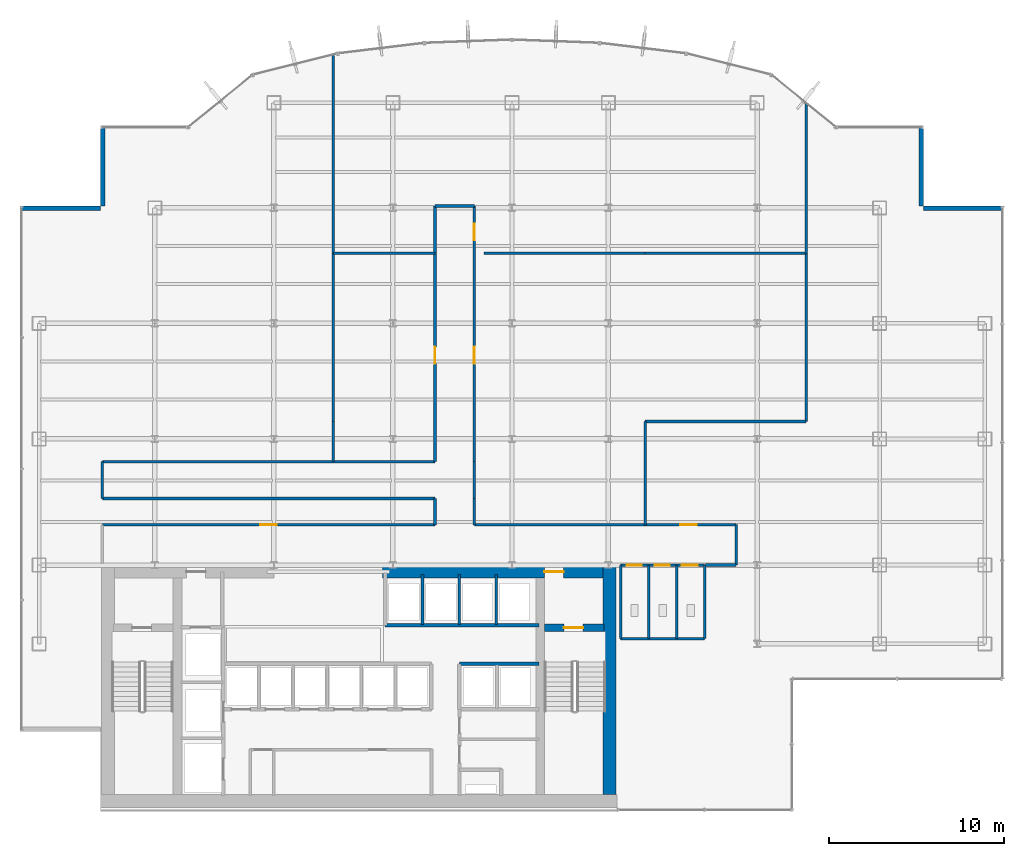
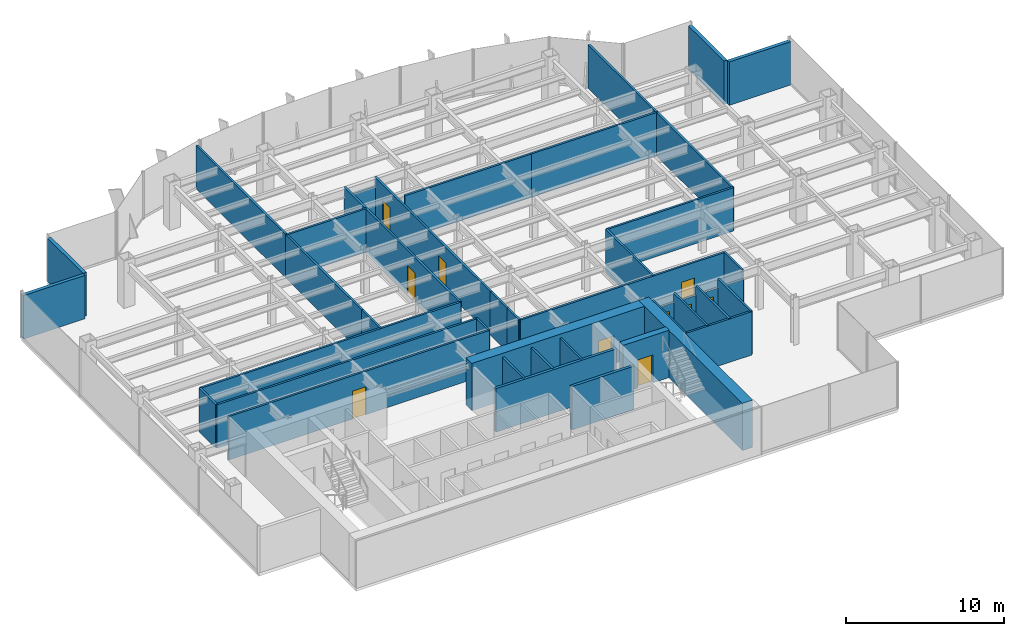
# One storey, part 22 of 26: 41 walls, 10 doors, 10 openings.
"""IFC4 building model written with IfcOpenShell, lengths in metres."""

from ifc_helpers import new_model, si_unit, derived_unit, direction, frame, frame_2d, origin, place, context, subcontext, project, spatial, rectangle, extrude, source, transform, mapped, material, layer, layer_set, type_object, element, fill, save


model = new_model("IFC4")

# Units and contexts
model_context = context("Model", 3, precision=1e-05, world=origin(), true_north=direction((0.0, 1.0)))
body_context = subcontext(model_context, "Body", "Model", "MODEL_VIEW")
ifc_project = project(units=[si_unit("LENGTHUNIT", "METRE"), si_unit("AREAUNIT", "SQUARE_METRE"), si_unit("VOLUMEUNIT", "CUBIC_METRE"), si_unit("PLANEANGLEUNIT", "RADIAN"), si_unit("MASSUNIT", "GRAM", prefix="KILO"), derived_unit("THERMALTRANSMITTANCEUNIT", [(si_unit("POWERUNIT", "WATT"), 1), (si_unit("LENGTHUNIT", "METRE"), -2), (si_unit("THERMODYNAMICTEMPERATUREUNIT", "KELVIN"), -1)])], contexts=[model_context])

# Site, building, storey
site_placement = place(None, origin())
site = spatial("IfcSite", under=ifc_project, at=site_placement, CompositionType="ELEMENT")
building_placement = place(site_placement, origin())
building = spatial("IfcBuilding", under=site, at=building_placement, Name="Skarnbrae Concourse Arena and Tower", CompositionType="ELEMENT")
storey_placement = place(building_placement, frame((0.0, 0.0, 132.449951171875)))
storey = spatial("IfcBuildingStorey", under=building, at=storey_placement, Name="L33", CompositionType="ELEMENT", Elevation=132.449951171875)

# Wall, opening, door
ifc_material_1 = material(Name="Concrete 50 MPa (C50/60)", Category="concrete")
ifc_layer_1 = layer(ifc_material_1, 0.449951171875)
ifc_layer_set_1 = layer_set([ifc_layer_1], Name="Concrete 50 MPa (C50/60)")
wall_type_1 = type_object("IfcWallType", Name="WALL-CORE-450-C50", PredefinedType="SHEAR", material=ifc_layer_set_1)
shared_shape_1 = source(origin(), body_context, "Body", "SweptSolid", [
    extrude(rectangle(XDim=3.389892578125, YDim=0.449951171875, at=frame_2d((1.69482421875, 0.0))), origin(), (0.0, 0.0, 1.0), 3.650146484375),
])
wall_1_placement = place(storey_placement, frame((29.860107421875, 10.419921875, 0.0), z_axis=(0.0, 0.0, 1.0), x_axis=(1.0, 0.0, 0.0)))
wall_1 = element("IfcWall", 1, at=wall_1_placement, inside=storey, type_object=wall_type_1, Name="L33 Rear core shear wall CW-ST2-N", PredefinedType="SHEAR", context=body_context, shape_type="MappedRepresentation", body=[
    mapped(shared_shape_1, transform((0.0, 0.0, 0.0))),
])
opening_1_placement = place(wall_1_placement, frame((1.10009765625, 0.0, 0.0)))
opening_1 = element("IfcOpeningElement", 2, at=opening_1_placement, cuts=wall_1, Name="Opening DT-03", PredefinedType="OPENING", context=body_context, shape_type="SweptSolid", body=[
    extrude(rectangle(XDim=1.10009765625, YDim=2.14990234375, at=frame_2d((0.550048828125, 1.074951171875))), frame((0.0, 0.23486328125, 0.0), z_axis=(0.0, -1.0, 0.0), x_axis=(1.0, 0.0, 0.0)), (0.0, 0.0, 1.0), 0.469970703125),
])
ifc_material_2 = material(Name="Steel CSA G40.21 350W", Category="steel")
door_type_1 = type_object("IfcDoorType", Name="DOOR-FIRE-1100-90M", OperationType="NOTDEFINED", PredefinedType="DOOR", material=ifc_material_2)
shared_shape_2 = source(origin(), body_context, "Body", "SweptSolid", [
    extrude(rectangle(XDim=1.10009765625, YDim=2.14990234375, at=frame_2d((0.550048828125, 1.074951171875))), frame((0.0, 0.02490234375, 0.0), z_axis=(0.0, -1.0, 0.0), x_axis=(1.0, 0.0, 0.0)), (0.0, 0.0, 1.0), 0.050048828125),
])
door_1_placement = place(opening_1_placement, frame((1.10009765625, 0.0, 0.0), z_axis=(0.0, 0.0, 1.0), x_axis=(-1.0, 0.0, 0.0)))
door_1 = element("IfcDoor", 3, at=door_1_placement, inside=storey, type_object=door_type_1, Name="D-1057 Stair ST-2 Door", OperationType="SINGLE_SWING_RIGHT", OverallHeight=2.14990234375, OverallWidth=1.10009765625, PredefinedType="DOOR", context=body_context, shape_type="MappedRepresentation", body=[
    mapped(shared_shape_2, transform((0.0, 0.0, 0.0))),
])
fill(opening_1, door_1)

# Wall
ifc_material_3 = material(Name="Concrete 60 MPa (C60/75)", Category="concrete")
ifc_layer_2 = layer(ifc_material_3, 0.75)
ifc_layer_set_2 = layer_set([ifc_layer_2], Name="Concrete 60 MPa (C60/75)")
wall_type_2 = type_object("IfcWallType", Name="WALL-CORE-750-C60", PredefinedType="SHEAR", material=ifc_layer_set_2)
shared_shape_3 = source(origin(), body_context, "Body", "SweptSolid", [
    extrude(rectangle(XDim=13.10009765625, YDim=0.75, at=frame_2d((6.550048828125, 0.0))), origin(), (0.0, 0.0, 1.0), 3.650146484375),
])
wall_2_placement = place(storey_placement, frame((33.574951171875, 0.89990234375, 0.0), z_axis=(0.0, 0.0, 1.0), x_axis=(0.0, 1.0, 0.0)))
element("IfcWall", 4, at=wall_2_placement, inside=storey, type_object=wall_type_2, Name="L33 Rear core shear wall CW-E", PredefinedType="SHEAR", context=body_context, shape_type="MappedRepresentation", body=[
    mapped(shared_shape_3, transform((0.0, 0.0, 0.0))),
])

# Wall, opening, door
shared_shape_4 = source(origin(), body_context, "Body", "SweptSolid", [
    extrude(rectangle(XDim=12.599853515625, YDim=0.75, at=frame_2d((6.2998046875, 0.0))), origin(), (0.0, 0.0, 1.0), 3.650146484375),
])
wall_3_placement = place(storey_placement, frame((20.60009765625, 13.625, 0.0), z_axis=(0.0, 0.0, 1.0), x_axis=(1.0, 0.0, 0.0)))
wall_3 = element("IfcWall", 5, at=wall_3_placement, inside=storey, type_object=wall_type_2, Name="L33 Rear core shear wall CW-NE", PredefinedType="SHEAR", context=body_context, shape_type="MappedRepresentation", body=[
    mapped(shared_shape_4, transform((0.0, 0.0, 0.0))),
])
opening_2_placement = place(wall_3_placement, frame((9.25, 0.0, 0.0)))
opening_2 = element("IfcOpeningElement", 6, at=opening_2_placement, cuts=wall_3, Name="Opening DT-03", PredefinedType="OPENING", context=body_context, shape_type="SweptSolid", body=[
    extrude(rectangle(XDim=1.10009765625, YDim=2.14990234375, at=frame_2d((0.550048828125, 1.074951171875))), frame((0.0, 0.385009765625, 0.0), z_axis=(0.0, -1.0, 0.0), x_axis=(1.0, 0.0, 0.0)), (0.0, 0.0, 1.0), 0.77001953125),
])
door_2_placement = place(opening_2_placement, origin())
door_2 = element("IfcDoor", 7, at=door_2_placement, inside=storey, type_object=door_type_1, Name="D-1059 Stair ST-2 Vestibule Door", OperationType="SINGLE_SWING_LEFT", OverallHeight=2.14990234375, OverallWidth=1.10009765625, PredefinedType="DOOR", context=body_context, shape_type="MappedRepresentation", body=[
    mapped(shared_shape_2, transform((0.0, 0.0, 0.0))),
])
fill(opening_2, door_2)

# Walls
ifc_material_4 = material(Name="Precast concrete 40 MPa (C40/50)", Category="concrete")
ifc_layer_3 = layer(ifc_material_4, 0.25)
ifc_layer_set_3 = layer_set([ifc_layer_3], Name="Precast concrete 40 MPa (C40/50)")
wall_type_3 = type_object("IfcWallType", Name="WALL-EXT-SPANDREL-250", PredefinedType="STANDARD", material=ifc_layer_set_3)
shared_shape_5 = source(origin(), body_context, "Body", "SweptSolid", [
    extrude(rectangle(XDim=4.5, YDim=0.25, at=frame_2d((2.25, 0.0))), origin(), (0.0, 0.0, 1.0), 3.35009765625),
])
for number, where, z_axis, x_axis, name in (
    (8, (56.0, 34.375, 0.0), (0.0, 0.0, 1.0), (-1.0, 0.0, 0.0), "L33 Notched corner insulated return wall 05"),
    (9, (51.375, 34.5, 0.0), (0.0, 0.0, 1.0), (0.0, 1.0, 0.0), "L33 Notched corner insulated return wall 06"),
    (10, (4.625, 39.0, 0.0), (0.0, 0.0, 1.0), (0.0, -1.0, 0.0), "L33 Notched corner insulated return wall 17"),
    (11, (4.5, 34.375, 0.0), (0.0, 0.0, 1.0), (-1.0, 0.0, 0.0), "L33 Notched corner insulated return wall 18"),
):
    element("IfcWall", number, at=place(storey_placement, frame(where, z_axis=z_axis, x_axis=x_axis)), inside=storey, type_object=wall_type_3, Name=name, PredefinedType="STANDARD", context=body_context, shape_type="MappedRepresentation", body=[
        mapped(shared_shape_5, transform((0.0, 0.0, 0.0))),
    ])
ifc_material_5 = material(Name="Gypsum board on cold-formed steel studs", Category="steel")
ifc_layer_4 = layer(ifc_material_5, 0.199951171875)
ifc_layer_set_4 = layer_set([ifc_layer_4], Name="Gypsum board on cold-formed steel studs")
wall_type_4 = type_object("IfcWallType", Name="WALL-PART-200-2HR", PredefinedType="PARTITIONING", material=ifc_layer_set_4)
shared_shape_6 = source(origin(), body_context, "Body", "SweptSolid", [
    extrude(rectangle(XDim=8.800048828125, YDim=0.199951171875, at=frame_2d((4.39990234375, 0.0))), origin(), (0.0, 0.0, 1.0), 3.35009765625),
])
wall_4_placement = place(storey_placement, frame((20.75, 10.550048828125, 0.0), z_axis=(0.0, 0.0, 1.0), x_axis=(1.0, 0.0, 0.0)))
element("IfcWall", 12, at=wall_4_placement, inside=storey, type_object=wall_type_4, Name="L33 Interior partition wall W-L33-B3N-S", PredefinedType="PARTITIONING", context=body_context, shape_type="MappedRepresentation", body=[
    mapped(shared_shape_6, transform((0.0, 0.0, 0.0))),
])
ifc_layer_5 = layer(ifc_material_5, 0.14990234375)
ifc_layer_set_5 = layer_set([ifc_layer_5], Name="Gypsum board on cold-formed steel studs")
wall_type_5 = type_object("IfcWallType", Name="WALL-PART-150", PredefinedType="PARTITIONING", material=ifc_layer_set_5)
shared_shape_7 = source(origin(), body_context, "Body", "SweptSolid", [
    extrude(rectangle(XDim=2.849853515625, YDim=0.14990234375, at=frame_2d((1.4248046875, 0.0))), origin(), (0.0, 0.0, 1.0), 3.35009765625),
])
for number, where, z_axis, x_axis, name in (
    (13, (22.889892578125, 10.60009765625, 0.0), (0.0, 0.0, 1.0), (0.0, 1.0, 0.0), "L33 Interior partition wall W-L33-B3N-P1"),
    (14, (24.989990234375, 10.60009765625, 0.0), (0.0, 0.0, 1.0), (0.0, 1.0, 0.0), "L33 Interior partition wall W-L33-B3N-P2"),
    (15, (27.090087890625, 10.60009765625, 0.0), (0.0, 0.0, 1.0), (0.0, 1.0, 0.0), "L33 Interior partition wall W-L33-B3N-P3"),
):
    element("IfcWall", number, at=place(storey_placement, frame(where, z_axis=z_axis, x_axis=x_axis)), inside=storey, type_object=wall_type_5, Name=name, PredefinedType="PARTITIONING", context=body_context, shape_type="MappedRepresentation", body=[
        mapped(shared_shape_7, transform((0.0, 0.0, 0.0))),
    ])
shared_shape_8 = source(origin(), body_context, "Body", "SweptSolid", [
    extrude(rectangle(XDim=4.550048828125, YDim=0.199951171875, at=frame_2d((2.27490234375, 0.0))), origin(), (0.0, 0.0, 1.0), 3.35009765625),
])
wall_5_placement = place(storey_placement, frame((25.0, 8.35009765625, 0.0), z_axis=(0.0, 0.0, 1.0), x_axis=(1.0, 0.0, 0.0)))
element("IfcWall", 16, at=wall_5_placement, inside=storey, type_object=wall_type_4, Name="L33 Interior partition wall W-L33-B3S-N", PredefinedType="PARTITIONING", context=body_context, shape_type="MappedRepresentation", body=[
    mapped(shared_shape_8, transform((0.0, 0.0, 0.0))),
])

# Wall, openings, doors
shared_shape_9 = source(origin(), body_context, "Body", "SweptSolid", [
    extrude(rectangle(XDim=4.800048828125, YDim=0.14990234375, at=frame_2d((2.39990234375, 0.0))), origin(), (0.0, 0.0, 1.0), 2.652099609375),
])
wall_6_placement = place(storey_placement, frame((34.199951171875, 13.97998046875, 0.0), z_axis=(0.0, 0.0, 1.0), x_axis=(1.0, 0.0, 0.0)))
wall_6 = element("IfcWall", 17, at=wall_6_placement, inside=storey, type_object=wall_type_5, Name="L33 Interior partition wall W-L33-WC-N", PredefinedType="PARTITIONING", context=body_context, shape_type="MappedRepresentation", body=[
    mapped(shared_shape_9, transform((0.0, 0.0, 0.0))),
])
opening_3_placement = place(wall_6_placement, frame((0.35009765625, 0.0, 0.0)))
opening_3 = element("IfcOpeningElement", 18, at=opening_3_placement, cuts=wall_6, Name="Opening DT-06", PredefinedType="OPENING", context=body_context, shape_type="SweptSolid", body=[
    extrude(rectangle(XDim=0.85009765625, YDim=2.10009765625, at=frame_2d((0.425048828125, 1.050048828125))), frame((0.0, 0.0849609375, 0.0), z_axis=(0.0, -1.0, 0.0), x_axis=(1.0, 0.0, 0.0)), (0.0, 0.0, 1.0), 0.169921875),
])
opening_4_placement = place(wall_6_placement, frame((1.949951171875, 0.0, 0.0)))
opening_4 = element("IfcOpeningElement", 19, at=opening_4_placement, cuts=wall_6, Name="Opening DT-06", PredefinedType="OPENING", context=body_context, shape_type="SweptSolid", body=[
    extrude(rectangle(XDim=0.85009765625, YDim=2.10009765625, at=frame_2d((0.425048828125, 1.050048828125))), frame((0.0, 0.0849609375, 0.0), z_axis=(0.0, -1.0, 0.0), x_axis=(1.0, 0.0, 0.0)), (0.0, 0.0, 1.0), 0.169921875),
])
opening_5_placement = place(wall_6_placement, frame((3.5, 0.0, 0.0)))
opening_5 = element("IfcOpeningElement", 20, at=opening_5_placement, cuts=wall_6, Name="Opening DT-05", PredefinedType="OPENING", context=body_context, shape_type="SweptSolid", body=[
    extrude(rectangle(XDim=0.89990234375, YDim=2.10009765625, at=frame_2d((0.449951171875, 1.050048828125))), frame((0.0, 0.0849609375, 0.0), z_axis=(0.0, -1.0, 0.0), x_axis=(1.0, 0.0, 0.0)), (0.0, 0.0, 1.0), 0.169921875),
])
ifc_material_6 = material(Name="Architectural oak veneer timber leaf", Category="wood")
door_type_2 = type_object("IfcDoorType", Name="DOOR-INT-850", OperationType="NOTDEFINED", PredefinedType="DOOR", material=ifc_material_6)
shared_shape_10 = source(origin(), body_context, "Body", "SweptSolid", [
    extrude(rectangle(XDim=0.85009765625, YDim=2.10009765625, at=frame_2d((0.425048828125, 1.050048828125))), frame((0.0, 0.02490234375, 0.0), z_axis=(0.0, -1.0, 0.0), x_axis=(1.0, 0.0, 0.0)), (0.0, 0.0, 1.0), 0.050048828125),
])
door_3_placement = place(opening_3_placement, frame((0.85009765625, 0.0, 0.0), z_axis=(0.0, 0.0, 1.0), x_axis=(-1.0, 0.0, 0.0)))
door_3 = element("IfcDoor", 21, at=door_3_placement, inside=storey, type_object=door_type_2, Name="D-1073 Male Washroom Door", OperationType="SINGLE_SWING_LEFT", OverallHeight=2.10009765625, OverallWidth=0.85009765625, PredefinedType="DOOR", context=body_context, shape_type="MappedRepresentation", body=[
    mapped(shared_shape_10, transform((0.0, 0.0, 0.0))),
])
fill(opening_3, door_3)
door_4_placement = place(opening_4_placement, frame((0.85009765625, 0.0, 0.0), z_axis=(0.0, 0.0, 1.0), x_axis=(-1.0, 0.0, 0.0)))
door_4 = element("IfcDoor", 22, at=door_4_placement, inside=storey, type_object=door_type_2, Name="D-1074 Female Washroom Door", OperationType="SINGLE_SWING_RIGHT", OverallHeight=2.10009765625, OverallWidth=0.85009765625, PredefinedType="DOOR", context=body_context, shape_type="MappedRepresentation", body=[
    mapped(shared_shape_10, transform((0.0, 0.0, 0.0))),
])
fill(opening_4, door_4)
door_type_3 = type_object("IfcDoorType", Name="DOOR-INT-900", OperationType="NOTDEFINED", PredefinedType="DOOR", material=ifc_material_6)
shared_shape_11 = source(origin(), body_context, "Body", "SweptSolid", [
    extrude(rectangle(XDim=0.89990234375, YDim=2.10009765625, at=frame_2d((0.449951171875, 1.050048828125))), frame((0.0, 0.02490234375, 0.0), z_axis=(0.0, -1.0, 0.0), x_axis=(1.0, 0.0, 0.0)), (0.0, 0.0, 1.0), 0.050048828125),
])
door_5_placement = place(opening_5_placement, frame((0.89990234375, 0.0, 0.0), z_axis=(0.0, 0.0, 1.0), x_axis=(-1.0, 0.0, 0.0)))
door_5 = element("IfcDoor", 23, at=door_5_placement, inside=storey, type_object=door_type_3, Name="D-1075 Accessible WC Door", OperationType="SINGLE_SWING_LEFT", OverallHeight=2.10009765625, OverallWidth=0.89990234375, PredefinedType="DOOR", context=body_context, shape_type="MappedRepresentation", body=[
    mapped(shared_shape_11, transform((0.0, 0.0, 0.0))),
])
fill(opening_5, door_5)

# Walls
shared_shape_12 = source(origin(), body_context, "Body", "SweptSolid", [
    extrude(rectangle(XDim=4.800048828125, YDim=0.14990234375, at=frame_2d((2.39990234375, 0.0))), origin(), (0.0, 0.0, 1.0), 3.35009765625),
])
wall_7_placement = place(storey_placement, frame((34.199951171875, 9.800048828125, 0.0), z_axis=(0.0, 0.0, 1.0), x_axis=(1.0, 0.0, 0.0)))
element("IfcWall", 24, at=wall_7_placement, inside=storey, type_object=wall_type_5, Name="L33 Interior partition wall W-L33-WC-S", PredefinedType="PARTITIONING", context=body_context, shape_type="MappedRepresentation", body=[
    mapped(shared_shape_12, transform((0.0, 0.0, 0.0))),
])
shared_shape_13 = source(origin(), body_context, "Body", "SweptSolid", [
    extrude(rectangle(XDim=4.179931640625, YDim=0.14990234375, at=frame_2d((2.08984375, 0.0))), origin(), (0.0, 0.0, 1.0), 3.35009765625),
])
for number, where, z_axis, x_axis, name in (
    (25, (39.0, 9.800048828125, 0.0), (0.0, 0.0, 1.0), (0.0, 1.0, 0.0), "L33 Interior partition wall W-L33-WC-E"),
    (26, (34.199951171875, 9.800048828125, 0.0), (0.0, 0.0, 1.0), (0.0, 1.0, 0.0), "L33 Interior partition wall W-L33-WC-W"),
    (27, (35.800048828125, 9.800048828125, 0.0), (0.0, 0.0, 1.0), (0.0, 1.0, 0.0), "L33 Interior partition wall W-L33-WC-D1"),
    (28, (37.39990234375, 9.800048828125, 0.0), (0.0, 0.0, 1.0), (0.0, 1.0, 0.0), "L33 Interior partition wall W-L33-WC-D2"),
):
    element("IfcWall", number, at=place(storey_placement, frame(where, z_axis=z_axis, x_axis=x_axis)), inside=storey, type_object=wall_type_5, Name=name, PredefinedType="PARTITIONING", context=body_context, shape_type="MappedRepresentation", body=[
        mapped(shared_shape_13, transform((0.0, 0.0, 0.0))),
    ])

# Wall, opening, door
ifc_layer_6 = layer(ifc_material_5, 0.14990234375)
ifc_layer_set_6 = layer_set([ifc_layer_6], Name="Gypsum board on cold-formed steel studs")
wall_type_6 = type_object("IfcWallType", Name="WALL-PART-150-1HR", PredefinedType="PARTITIONING", material=ifc_layer_set_6)
shared_shape_14 = source(origin(), body_context, "Body", "SweptSolid", [
    extrude(rectangle(XDim=19.0, YDim=0.14990234375, at=frame_2d((9.5, 0.0))), origin(), (0.0, 0.0, 1.0), 3.35009765625),
])
wall_8_placement = place(storey_placement, frame((4.60009765625, 16.300048828125, 0.0), z_axis=(0.0, 0.0, 1.0), x_axis=(1.0, 0.0, 0.0)))
wall_8 = element("IfcWall", 29, at=wall_8_placement, inside=storey, type_object=wall_type_6, Name="L33 Interior partition wall W-L33-COR-02", PredefinedType="PARTITIONING", context=body_context, shape_type="MappedRepresentation", body=[
    mapped(shared_shape_14, transform((0.0, 0.0, 0.0))),
])
opening_6_placement = place(wall_8_placement, frame((9.02490234375, 0.0, 0.0)))
opening_6 = element("IfcOpeningElement", 30, at=opening_6_placement, cuts=wall_8, Name="Opening DT-04", PredefinedType="OPENING", context=body_context, shape_type="SweptSolid", body=[
    extrude(rectangle(XDim=0.949951171875, YDim=2.14990234375, at=frame_2d((0.47509765625, 1.074951171875))), frame((0.0, 0.0849609375, 0.0), z_axis=(0.0, -1.0, 0.0), x_axis=(1.0, 0.0, 0.0)), (0.0, 0.0, 1.0), 0.169921875),
])
door_type_4 = type_object("IfcDoorType", Name="DOOR-INT-950-45M", OperationType="NOTDEFINED", PredefinedType="DOOR", material=ifc_material_2)
shared_shape_15 = source(origin(), body_context, "Body", "SweptSolid", [
    extrude(rectangle(XDim=0.949951171875, YDim=2.14990234375, at=frame_2d((0.47509765625, 1.074951171875))), frame((0.0, 0.02490234375, 0.0), z_axis=(0.0, -1.0, 0.0), x_axis=(1.0, 0.0, 0.0)), (0.0, 0.0, 1.0), 0.050048828125),
])
door_6_placement = place(opening_6_placement, origin())
door_6 = element("IfcDoor", 31, at=door_6_placement, inside=storey, type_object=door_type_4, Name="D-1076 L33 Suite Door 01", OperationType="SINGLE_SWING_RIGHT", OverallHeight=2.14990234375, OverallWidth=0.949951171875, PredefinedType="DOOR", context=body_context, shape_type="MappedRepresentation", body=[
    mapped(shared_shape_15, transform((0.0, 0.0, 0.0))),
])
fill(opening_6, door_6)

# Walls
for number, where, z_axis, x_axis, name in (
    (32, (23.60009765625, 17.800048828125, 0.0), (0.0, 0.0, 1.0), (-1.0, 0.0, 0.0), "L33 Interior partition wall W-L33-COR-04"),
    (33, (4.60009765625, 19.89990234375, 0.0), (0.0, 0.0, 1.0), (1.0, 0.0, 0.0), "L33 Interior partition wall W-L33-COR-06"),
):
    element("IfcWall", number, at=place(storey_placement, frame(where, z_axis=z_axis, x_axis=x_axis)), inside=storey, type_object=wall_type_6, Name=name, PredefinedType="PARTITIONING", context=body_context, shape_type="MappedRepresentation", body=[
        mapped(shared_shape_14, transform((0.0, 0.0, 0.0))),
    ])
shared_shape_16 = source(origin(), body_context, "Body", "SweptSolid", [
    extrude(rectangle(XDim=1.5, YDim=0.14990234375, at=frame_2d((0.75, 0.0))), origin(), (0.0, 0.0, 1.0), 3.35009765625),
])
for number, where, z_axis, x_axis, name in (
    (34, (23.60009765625, 16.300048828125, 0.0), (0.0, 0.0, 1.0), (0.0, 1.0, 0.0), "L33 Interior partition wall W-L33-COR-03"),
    (35, (25.85009765625, 17.800048828125, 0.0), (0.0, 0.0, 1.0), (0.0, -1.0, 0.0), "L33 Interior partition wall W-L33-COR-11"),
):
    element("IfcWall", number, at=place(storey_placement, frame(where, z_axis=z_axis, x_axis=x_axis)), inside=storey, type_object=wall_type_6, Name=name, PredefinedType="PARTITIONING", context=body_context, shape_type="MappedRepresentation", body=[
        mapped(shared_shape_16, transform((0.0, 0.0, 0.0))),
    ])
shared_shape_17 = source(origin(), body_context, "Body", "SweptSolid", [
    extrude(rectangle(XDim=2.099853515625, YDim=0.14990234375, at=frame_2d((1.0498046875, 0.0))), origin(), (0.0, 0.0, 1.0), 3.35009765625),
])
for number, where, z_axis, x_axis, name in (
    (36, (4.60009765625, 17.800048828125, 0.0), (0.0, 0.0, 1.0), (0.0, 1.0, 0.0), "L33 Interior partition wall W-L33-COR-05"),
    (37, (25.85009765625, 19.89990234375, 0.0), (0.0, 0.0, 1.0), (0.0, -1.0, 0.0), "L33 Interior partition wall W-L33-COR-10"),
):
    element("IfcWall", number, at=place(storey_placement, frame(where, z_axis=z_axis, x_axis=x_axis)), inside=storey, type_object=wall_type_6, Name=name, PredefinedType="PARTITIONING", context=body_context, shape_type="MappedRepresentation", body=[
        mapped(shared_shape_17, transform((0.0, 0.0, 0.0))),
    ])

# Wall, opening, door
shared_shape_18 = source(origin(), body_context, "Body", "SweptSolid", [
    extrude(rectangle(XDim=14.60009765625, YDim=0.14990234375, at=frame_2d((7.300048828125, 0.0))), origin(), (0.0, 0.0, 1.0), 3.35009765625),
])
wall_9_placement = place(storey_placement, frame((23.60009765625, 19.89990234375, 0.0), z_axis=(0.0, 0.0, 1.0), x_axis=(0.0, 1.0, 0.0)))
wall_9 = element("IfcWall", 38, at=wall_9_placement, inside=storey, type_object=wall_type_6, Name="L33 Interior partition wall W-L33-COR-07", PredefinedType="PARTITIONING", context=body_context, shape_type="MappedRepresentation", body=[
    mapped(shared_shape_18, transform((0.0, 0.0, 0.0))),
])
opening_7_placement = place(wall_9_placement, frame((5.60498046875, 0.0, 0.0)))
opening_7 = element("IfcOpeningElement", 39, at=opening_7_placement, cuts=wall_9, Name="Opening DT-04", PredefinedType="OPENING", context=body_context, shape_type="SweptSolid", body=[
    extrude(rectangle(XDim=0.949951171875, YDim=2.14990234375, at=frame_2d((0.47509765625, 1.074951171875))), frame((0.0, 0.0849609375, 0.0), z_axis=(0.0, -1.0, 0.0), x_axis=(1.0, 0.0, 0.0)), (0.0, 0.0, 1.0), 0.169921875),
])
door_7_placement = place(opening_7_placement, origin())
door_7 = element("IfcDoor", 40, at=door_7_placement, inside=storey, type_object=door_type_4, Name="D-1077 L33 Suite Door 02", OperationType="SINGLE_SWING_LEFT", OverallHeight=2.14990234375, OverallWidth=0.949951171875, PredefinedType="DOOR", context=body_context, shape_type="MappedRepresentation", body=[
    mapped(shared_shape_15, transform((0.0, 0.0, 0.0))),
])
fill(opening_7, door_7)

# Wall, openings, doors
wall_10_placement = place(storey_placement, frame((25.85009765625, 34.5, 0.0), z_axis=(0.0, 0.0, 1.0), x_axis=(0.0, -1.0, 0.0)))
wall_10 = element("IfcWall", 41, at=wall_10_placement, inside=storey, type_object=wall_type_6, Name="L33 Interior partition wall W-L33-COR-09", PredefinedType="PARTITIONING", context=body_context, shape_type="MappedRepresentation", body=[
    mapped(shared_shape_18, transform((0.0, 0.0, 0.0))),
])
opening_8_placement = place(wall_10_placement, frame((1.0048828125, 0.0, 0.0)))
opening_8 = element("IfcOpeningElement", 42, at=opening_8_placement, cuts=wall_10, Name="Opening DT-04", PredefinedType="OPENING", context=body_context, shape_type="SweptSolid", body=[
    extrude(rectangle(XDim=0.949951171875, YDim=2.14990234375, at=frame_2d((0.47509765625, 1.074951171875))), frame((0.0, 0.0849609375, 0.0), z_axis=(0.0, -1.0, 0.0), x_axis=(1.0, 0.0, 0.0)), (0.0, 0.0, 1.0), 0.169921875),
])
opening_9_placement = place(wall_10_placement, frame((8.044921875, 0.0, 0.0)))
opening_9 = element("IfcOpeningElement", 43, at=opening_9_placement, cuts=wall_10, Name="Opening DT-04", PredefinedType="OPENING", context=body_context, shape_type="SweptSolid", body=[
    extrude(rectangle(XDim=0.949951171875, YDim=2.14990234375, at=frame_2d((0.47509765625, 1.074951171875))), frame((0.0, 0.0849609375, 0.0), z_axis=(0.0, -1.0, 0.0), x_axis=(1.0, 0.0, 0.0)), (0.0, 0.0, 1.0), 0.169921875),
])
door_8_placement = place(opening_8_placement, origin())
door_8 = element("IfcDoor", 44, at=door_8_placement, inside=storey, type_object=door_type_4, Name="D-1078 L33 Suite Door 03", OperationType="SINGLE_SWING_RIGHT", OverallHeight=2.14990234375, OverallWidth=0.949951171875, PredefinedType="DOOR", context=body_context, shape_type="MappedRepresentation", body=[
    mapped(shared_shape_15, transform((0.0, 0.0, 0.0))),
])
fill(opening_8, door_8)
door_9_placement = place(opening_9_placement, origin())
door_9 = element("IfcDoor", 45, at=door_9_placement, inside=storey, type_object=door_type_4, Name="D-1079 L33 Suite Door 04", OperationType="SINGLE_SWING_LEFT", OverallHeight=2.14990234375, OverallWidth=0.949951171875, PredefinedType="DOOR", context=body_context, shape_type="MappedRepresentation", body=[
    mapped(shared_shape_15, transform((0.0, 0.0, 0.0))),
])
fill(opening_9, door_9)

# Wall
shared_shape_19 = source(origin(), body_context, "Body", "SweptSolid", [
    extrude(rectangle(XDim=2.25, YDim=0.14990234375, at=frame_2d((1.125, 0.0))), origin(), (0.0, 0.0, 1.0), 2.652099609375),
])
wall_11_placement = place(storey_placement, frame((23.60009765625, 34.5, 0.0), z_axis=(0.0, 0.0, 1.0), x_axis=(1.0, 0.0, 0.0)))
element("IfcWall", 46, at=wall_11_placement, inside=storey, type_object=wall_type_6, Name="L33 Interior partition wall W-L33-COR-08", PredefinedType="PARTITIONING", context=body_context, shape_type="MappedRepresentation", body=[
    mapped(shared_shape_19, transform((0.0, 0.0, 0.0))),
])

# Wall, opening, door
shared_shape_20 = source(origin(), body_context, "Body", "SweptSolid", [
    extrude(rectangle(XDim=14.949951171875, YDim=0.14990234375, at=frame_2d((7.47509765625, 0.0))), origin(), (0.0, 0.0, 1.0), 3.35009765625),
])
wall_12_placement = place(storey_placement, frame((25.85009765625, 16.300048828125, 0.0), z_axis=(0.0, 0.0, 1.0), x_axis=(1.0, 0.0, 0.0)))
wall_12 = element("IfcWall", 47, at=wall_12_placement, inside=storey, type_object=wall_type_6, Name="L33 Interior partition wall W-L33-COR-12", PredefinedType="PARTITIONING", context=body_context, shape_type="MappedRepresentation", body=[
    mapped(shared_shape_20, transform((0.0, 0.0, 0.0))),
])
opening_10_placement = place(wall_12_placement, frame((11.7451171875, 0.0, 0.0)))
opening_10 = element("IfcOpeningElement", 48, at=opening_10_placement, cuts=wall_12, Name="Opening DT-04", PredefinedType="OPENING", context=body_context, shape_type="SweptSolid", body=[
    extrude(rectangle(XDim=0.949951171875, YDim=2.14990234375, at=frame_2d((0.47509765625, 1.074951171875))), frame((0.0, 0.0849609375, 0.0), z_axis=(0.0, -1.0, 0.0), x_axis=(1.0, 0.0, 0.0)), (0.0, 0.0, 1.0), 0.169921875),
])
door_10_placement = place(opening_10_placement, origin())
door_10 = element("IfcDoor", 49, at=door_10_placement, inside=storey, type_object=door_type_4, Name="D-1080 L33 Suite Door 05", OperationType="SINGLE_SWING_RIGHT", OverallHeight=2.14990234375, OverallWidth=0.949951171875, PredefinedType="DOOR", context=body_context, shape_type="MappedRepresentation", body=[
    mapped(shared_shape_15, transform((0.0, 0.0, 0.0))),
])
fill(opening_10, door_10)

# Walls
shared_shape_21 = source(origin(), body_context, "Body", "SweptSolid", [
    extrude(rectangle(XDim=2.300048828125, YDim=0.14990234375, at=frame_2d((1.14990234375, 0.0))), origin(), (0.0, 0.0, 1.0), 3.35009765625),
])
wall_13_placement = place(storey_placement, frame((40.800048828125, 16.300048828125, 0.0), z_axis=(0.0, 0.0, 1.0), x_axis=(0.0, -1.0, 0.0)))
element("IfcWall", 50, at=wall_13_placement, inside=storey, type_object=wall_type_6, Name="L33 Interior partition wall W-L33-COR-13", PredefinedType="PARTITIONING", context=body_context, shape_type="MappedRepresentation", body=[
    mapped(shared_shape_21, transform((0.0, 0.0, 0.0))),
])
wall_14_placement = place(storey_placement, frame((17.800048828125, 22.199951171875, 0.0), z_axis=(0.0, 0.0, 1.0), x_axis=(0.0, -1.0, 0.0)))
element("IfcWall", 51, at=wall_14_placement, inside=storey, type_object=wall_type_5, Name="L33 Interior partition wall W-L33-DEM-16", PredefinedType="PARTITIONING", context=body_context, shape_type="MappedRepresentation", body=[
    mapped(shared_shape_21, transform((0.0, 0.0, 0.0))),
])
shared_shape_22 = source(origin(), body_context, "Body", "SweptSolid", [
    extrude(rectangle(XDim=1.75, YDim=0.14990234375, at=frame_2d((0.875, 0.0))), origin(), (0.0, 0.0, 1.0), 2.652099609375),
])
wall_15_placement = place(storey_placement, frame((40.800048828125, 14.0, 0.0), z_axis=(0.0, 0.0, 1.0), x_axis=(-1.0, 0.0, 0.0)))
element("IfcWall", 52, at=wall_15_placement, inside=storey, type_object=wall_type_6, Name="L33 Interior partition wall W-L33-COR-14", PredefinedType="PARTITIONING", context=body_context, shape_type="MappedRepresentation", body=[
    mapped(shared_shape_22, transform((0.0, 0.0, 0.0))),
])
shared_shape_23 = source(origin(), body_context, "Body", "SweptSolid", [
    extrude(rectangle(XDim=9.60009765625, YDim=0.14990234375, at=frame_2d((4.800048828125, 0.0))), origin(), (0.0, 0.0, 1.0), 3.35009765625),
])
for number, where, z_axis, x_axis, name in (
    (53, (17.800048828125, 31.800048828125, 0.0), (0.0, 0.0, 1.0), (0.0, -1.0, 0.0), "L33 Interior partition wall W-L33-DEM-15"),
    (54, (44.800048828125, 31.800048828125, 0.0), (0.0, 0.0, 1.0), (0.0, -1.0, 0.0), "L33 Interior partition wall W-L33-DEM-21"),
):
    element("IfcWall", number, at=place(storey_placement, frame(where, z_axis=z_axis, x_axis=x_axis)), inside=storey, type_object=wall_type_5, Name=name, PredefinedType="PARTITIONING", context=body_context, shape_type="MappedRepresentation", body=[
        mapped(shared_shape_23, transform((0.0, 0.0, 0.0))),
    ])
shared_shape_24 = source(origin(), body_context, "Body", "SweptSolid", [
    extrude(rectangle(XDim=5.800048828125, YDim=0.14990234375, at=frame_2d((2.89990234375, 0.0))), origin(), (0.0, 0.0, 1.0), 3.35009765625),
])
wall_16_placement = place(storey_placement, frame((17.800048828125, 31.800048828125, 0.0), z_axis=(0.0, 0.0, 1.0), x_axis=(1.0, 0.0, 0.0)))
element("IfcWall", 55, at=wall_16_placement, inside=storey, type_object=wall_type_5, Name="L33 Interior partition wall W-L33-DEM-17", PredefinedType="PARTITIONING", context=body_context, shape_type="MappedRepresentation", body=[
    mapped(shared_shape_24, transform((0.0, 0.0, 0.0))),
])
shared_shape_25 = source(origin(), body_context, "Body", "SweptSolid", [
    extrude(rectangle(XDim=11.3330078125, YDim=0.14990234375, at=frame_2d((5.66650390625, 0.0))), origin(), (0.0, 0.0, 1.0), 3.35009765625),
])
wall_17_placement = place(storey_placement, frame((17.800048828125, 43.133056640625, 0.0), z_axis=(0.0, 0.0, 1.0), x_axis=(0.0, -1.0, 0.0)))
element("IfcWall", 56, at=wall_17_placement, inside=storey, type_object=wall_type_5, Name="L33 Interior partition wall W-L33-DEM-18", PredefinedType="PARTITIONING", context=body_context, shape_type="MappedRepresentation", body=[
    mapped(shared_shape_25, transform((0.0, 0.0, 0.0))),
])
shared_shape_26 = source(origin(), body_context, "Body", "SweptSolid", [
    extrude(rectangle(XDim=9.199951171875, YDim=0.14990234375, at=frame_2d((4.60009765625, 0.0))), origin(), (0.0, 0.0, 1.0), 3.35009765625),
])
for number, where, z_axis, x_axis, name in (
    (57, (44.800048828125, 31.800048828125, 0.0), (0.0, 0.0, 1.0), (-1.0, 0.0, 0.0), "L33 Interior partition wall W-L33-DEM-19"),
    (58, (44.800048828125, 22.199951171875, 0.0), (0.0, 0.0, 1.0), (-1.0, 0.0, 0.0), "L33 Interior partition wall W-L33-DEM-22"),
):
    element("IfcWall", number, at=place(storey_placement, frame(where, z_axis=z_axis, x_axis=x_axis)), inside=storey, type_object=wall_type_5, Name=name, PredefinedType="PARTITIONING", context=body_context, shape_type="MappedRepresentation", body=[
        mapped(shared_shape_26, transform((0.0, 0.0, 0.0))),
    ])
shared_shape_27 = source(origin(), body_context, "Body", "SweptSolid", [
    extrude(rectangle(XDim=9.2001953125, YDim=0.14990234375, at=frame_2d((4.60009765625, 0.0))), origin(), (0.0, 0.0, 1.0), 3.35009765625),
])
wall_18_placement = place(storey_placement, frame((35.60009765625, 31.800048828125, 0.0), z_axis=(0.0, 0.0, 1.0), x_axis=(-1.0, 0.0, 0.0)))
element("IfcWall", 59, at=wall_18_placement, inside=storey, type_object=wall_type_5, Name="L33 Interior partition wall W-L33-DEM-20", PredefinedType="PARTITIONING", context=body_context, shape_type="MappedRepresentation", body=[
    mapped(shared_shape_27, transform((0.0, 0.0, 0.0))),
])
shared_shape_28 = source(origin(), body_context, "Body", "SweptSolid", [
    extrude(rectangle(XDim=5.89990234375, YDim=0.14990234375, at=frame_2d((2.949951171875, 0.0))), origin(), (0.0, 0.0, 1.0), 3.35009765625),
])
wall_19_placement = place(storey_placement, frame((35.60009765625, 22.199951171875, 0.0), z_axis=(0.0, 0.0, 1.0), x_axis=(0.0, -1.0, 0.0)))
element("IfcWall", 60, at=wall_19_placement, inside=storey, type_object=wall_type_5, Name="L33 Interior partition wall W-L33-DEM-23", PredefinedType="PARTITIONING", context=body_context, shape_type="MappedRepresentation", body=[
    mapped(shared_shape_28, transform((0.0, 0.0, 0.0))),
])
shared_shape_29 = source(origin(), body_context, "Body", "SweptSolid", [
    extrude(rectangle(XDim=8.554931640625, YDim=0.14990234375, at=frame_2d((4.27734375, 0.0))), origin(), (0.0, 0.0, 1.0), 3.35009765625),
])
wall_20_placement = place(storey_placement, frame((44.800048828125, 40.35498046875, 0.0), z_axis=(0.0, 0.0, 1.0), x_axis=(0.0, -1.0, 0.0)))
element("IfcWall", 61, at=wall_20_placement, inside=storey, type_object=wall_type_5, Name="L33 Interior partition wall W-L33-DEM-24", PredefinedType="PARTITIONING", context=body_context, shape_type="MappedRepresentation", body=[
    mapped(shared_shape_29, transform((0.0, 0.0, 0.0))),
])

save(model, "model.ifc")
